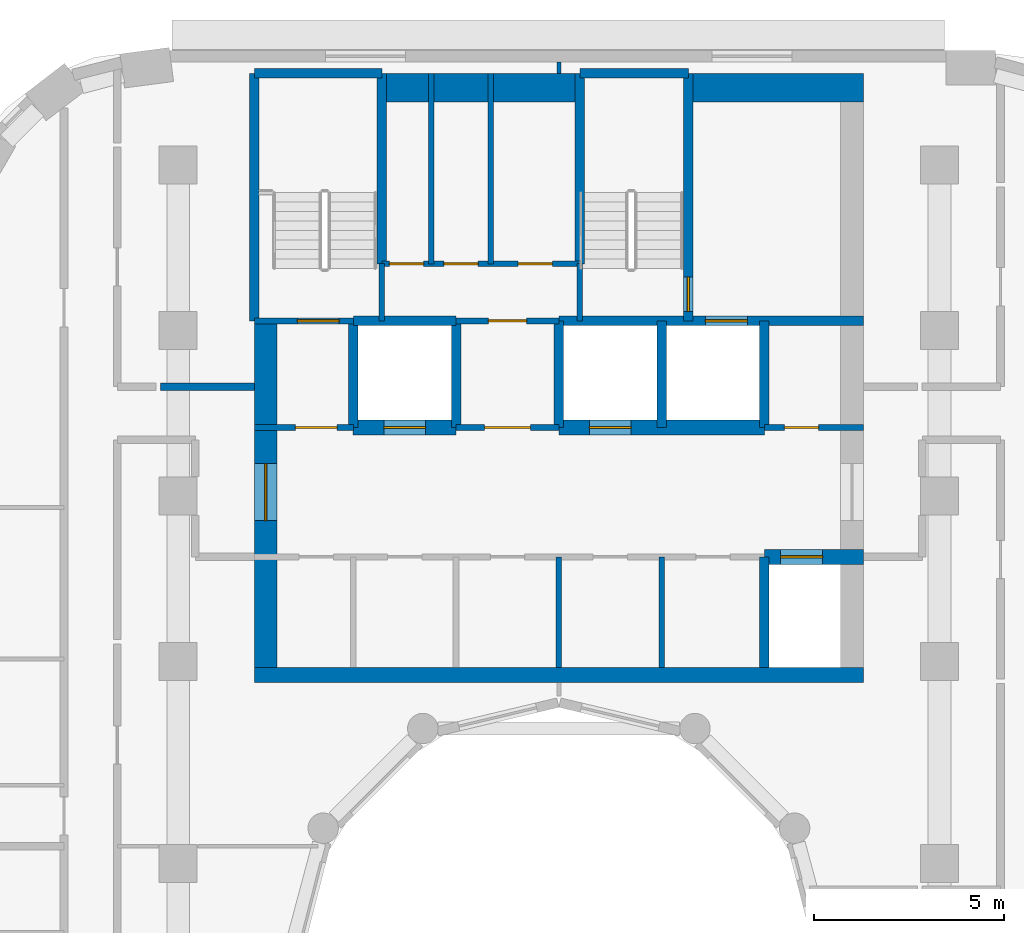
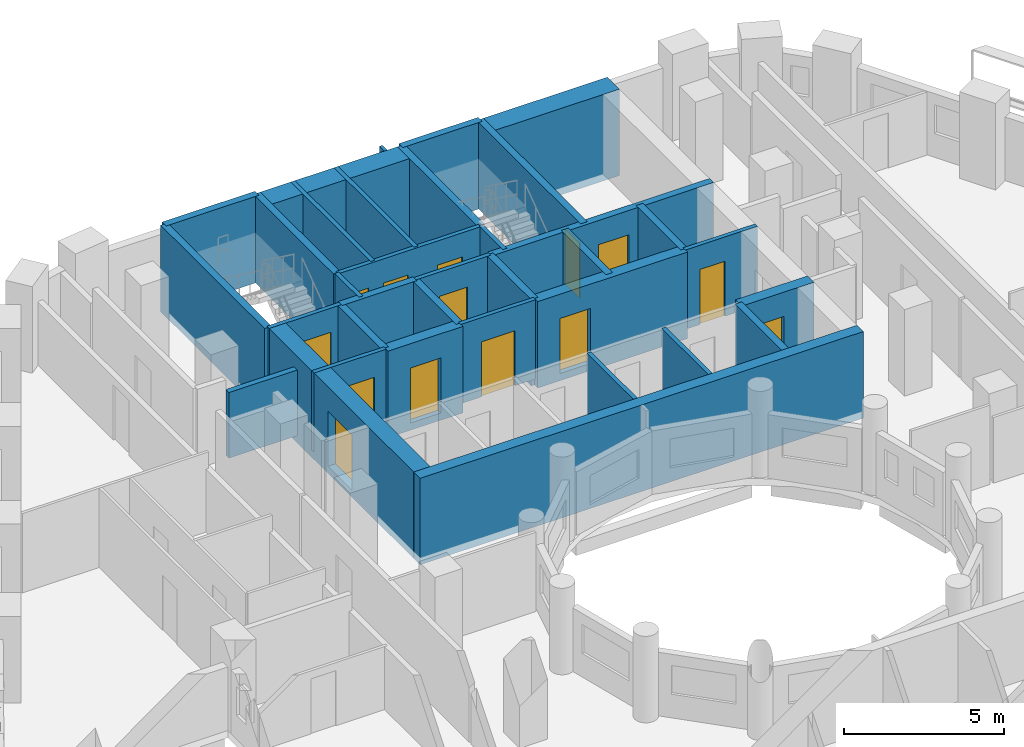
# One storey, part 8 of 14: 35 walls, 14 doors, 14 openings.
"""IFC4 building model written with IfcOpenShell, lengths in metres."""

from ifc_helpers import new_model, si_unit, direction, frame, frame_2d, origin, place, context, subcontext, project, spatial, rectangle, extrude, material, layer, layer_set, type_object, element, fill, save


model = new_model("IFC4")

# Units and contexts
model_context = context("Model", 3, precision=1e-05, world=origin(), true_north=direction((0.0, 1.0)))
body_context = subcontext(model_context, "Body", "Model", "MODEL_VIEW")
ifc_project = project(units=[si_unit("LENGTHUNIT", "METRE"), si_unit("AREAUNIT", "SQUARE_METRE"), si_unit("VOLUMEUNIT", "CUBIC_METRE"), si_unit("PLANEANGLEUNIT", "RADIAN"), si_unit("MASSUNIT", "GRAM", prefix="KILO")], contexts=[model_context])

# Site, building, storey
site_placement = place(None, origin())
site = spatial("IfcSite", under=ifc_project, at=site_placement, CompositionType="ELEMENT")
building_placement = place(site_placement, origin())
building = spatial("IfcBuilding", under=site, at=building_placement, Name="Nakaniwa Court", CompositionType="ELEMENT")
storey_placement = place(building_placement, frame((0.0, 0.0, 163.5)))
storey = spatial("IfcBuildingStorey", under=building, at=storey_placement, Name="L43", CompositionType="ELEMENT", Elevation=163.5)

# Walls
ifc_material_1 = material(Name="Acoustic double stud partition")
ifc_layer_1 = layer(ifc_material_1, 0.199951171875)
ifc_layer_set_1 = layer_set([ifc_layer_1], Name="Acoustic double stud partition")
wall_type_1 = type_object("IfcWallType", Name="Acoustic double stud partition 200", PredefinedType="PARTITIONING", material=ifc_layer_set_1)
wall_1_placement = place(storey_placement, frame((69.537109375, 95.175048828125, 0.0), z_axis=(0.0, 0.0, 1.0), x_axis=(1.0, 0.0, 0.0)))
element("IfcWall", 1, at=wall_1_placement, inside=storey, type_object=wall_type_1, Name="Partition PW-099", PredefinedType="PARTITIONING", context=body_context, shape_type="SweptSolid", body=[
    extrude(rectangle(XDim=2.462890625, YDim=0.199951171875, at=frame_2d((1.2314453125, 0.0))), origin(), (0.0, 0.0, 1.0), 2.5048828125),
])
ifc_material_2 = material(Name="Blockwork partition", Category="masonry")
ifc_layer_2 = layer(ifc_material_2, 0.14990234375)
ifc_layer_set_2 = layer_set([ifc_layer_2], Name="Blockwork partition")
wall_type_2 = type_object("IfcWallType", Name="Blockwork partition 150", PredefinedType="PARTITIONING", material=ifc_layer_set_2)
for number, where, z_axis, x_axis, name in (
    (2, (80.0, 87.800048828125, 0.0), (0.0, 0.0, 1.0), (0.0, 1.0, 0.0), "Partition PW-009"),
    (3, (82.699951171875, 87.800048828125, 0.0), (0.0, 0.0, 1.0), (0.0, 1.0, 0.0), "Partition PW-010"),
):
    element("IfcWall", number, at=place(storey_placement, frame(where, z_axis=z_axis, x_axis=x_axis)), inside=storey, type_object=wall_type_2, Name=name, PredefinedType="PARTITIONING", context=body_context, shape_type="SweptSolid", body=[
        extrude(rectangle(XDim=2.89990234375, YDim=0.14990234375, at=frame_2d((1.449951171875, 0.0))), origin(), (0.0, 0.0, 1.0), 3.02490234375),
    ])

# Wall, opening, door
wall_2_placement = place(storey_placement, frame((72.0, 94.10009765625, 0.0), z_axis=(0.0, 0.0, 1.0), x_axis=(1.0, 0.0, 0.0)))
wall_2 = element("IfcWall", 4, at=wall_2_placement, inside=storey, type_object=wall_type_2, Name="Partition PW-011", PredefinedType="PARTITIONING", context=body_context, shape_type="SweptSolid", body=[
    extrude(rectangle(XDim=2.60302734375, YDim=0.14990234375, at=frame_2d((1.301513671875, 0.0))), origin(), (0.0, 0.0, 1.0), 3.02490234375),
])
opening_1_placement = place(wall_2_placement, frame((1.074951171875, 0.0, 0.0)))
opening_1 = element("IfcOpeningElement", 5, at=opening_1_placement, cuts=wall_2, Name="Opening D-08-01", PredefinedType="OPENING", context=body_context, shape_type="SweptSolid", body=[
    extrude(rectangle(XDim=1.10009765625, YDim=2.10009765625, at=frame_2d((0.550048828125, 1.050048828125))), frame((0.0, 0.0849609375, 0.0), z_axis=(0.0, -1.0, 0.0), x_axis=(1.0, 0.0, 0.0)), (0.0, 0.0, 1.0), 0.169921875),
])
ifc_material_3 = material(Name="Fire rated steel door set", Category="steel")
door_type_1 = type_object("IfcDoorType", Name="Stair lobby door 1100", OperationType="NOTDEFINED", PredefinedType="DOOR", material=ifc_material_3)
door_1_placement = place(opening_1_placement, origin())
door_1 = element("IfcDoor", 6, at=door_1_placement, inside=storey, type_object=door_type_1, Name="Door D-08-01 L43-006", OperationType="SINGLE_SWING_LEFT", OverallHeight=2.10009765625, OverallWidth=1.10009765625, PredefinedType="DOOR", context=body_context, shape_type="SweptSolid", body=[
    extrude(rectangle(XDim=1.10009765625, YDim=2.10009765625, at=frame_2d((0.550048828125, 1.050048828125))), frame((0.0, 0.02490234375, 0.0), z_axis=(0.0, -1.0, 0.0), x_axis=(1.0, 0.0, 0.0)), (0.0, 0.0, 1.0), 0.050048828125),
])
fill(opening_1, door_1)

wall_3_placement = place(storey_placement, frame((77.297119140625, 94.10009765625, 0.0), z_axis=(0.0, 0.0, 1.0), x_axis=(1.0, 0.0, 0.0)))
wall_3 = element("IfcWall", 7, at=wall_3_placement, inside=storey, type_object=wall_type_2, Name="Partition PW-012", PredefinedType="PARTITIONING", context=body_context, shape_type="SweptSolid", body=[
    extrude(rectangle(XDim=2.705810546875, YDim=0.14990234375, at=frame_2d((1.35302734375, 0.0))), origin(), (0.0, 0.0, 1.0), 3.02490234375),
])
opening_2_placement = place(wall_3_placement, frame((0.7529296875, 0.0, 0.0)))
opening_2 = element("IfcOpeningElement", 8, at=opening_2_placement, cuts=wall_3, Name="Opening D-06-01", PredefinedType="OPENING", context=body_context, shape_type="SweptSolid", body=[
    extrude(rectangle(XDim=1.199951171875, YDim=2.10009765625, at=frame_2d((0.60009765625, 1.050048828125))), frame((0.0, 0.0849609375, 0.0), z_axis=(0.0, -1.0, 0.0), x_axis=(1.0, 0.0, 0.0)), (0.0, 0.0, 1.0), 0.169921875),
])
ifc_material_4 = material(Name="Fire rated steel double door set", Category="steel")
door_type_2 = type_object("IfcDoorType", Name="Service passage double door 1200", OperationType="NOTDEFINED", PredefinedType="DOOR", material=ifc_material_4)
door_2_placement = place(opening_2_placement, origin())
door_2 = element("IfcDoor", 9, at=door_2_placement, inside=storey, type_object=door_type_2, Name="Door D-06-01 L43-007", OperationType="DOUBLE_DOOR_SINGLE_SWING", OverallHeight=2.10009765625, OverallWidth=1.199951171875, PredefinedType="DOOR", context=body_context, shape_type="SweptSolid", body=[
    extrude(rectangle(XDim=1.199951171875, YDim=2.10009765625, at=frame_2d((0.60009765625, 1.050048828125))), frame((0.0, 0.02490234375, 0.0), z_axis=(0.0, -1.0, 0.0), x_axis=(1.0, 0.0, 0.0)), (0.0, 0.0, 1.0), 0.050048828125),
])
fill(opening_2, door_2)

wall_4_placement = place(storey_placement, frame((85.39697265625, 94.10009765625, 0.0), z_axis=(0.0, 0.0, 1.0), x_axis=(1.0, 0.0, 0.0)))
wall_4 = element("IfcWall", 10, at=wall_4_placement, inside=storey, type_object=wall_type_2, Name="Partition PW-013", PredefinedType="PARTITIONING", context=body_context, shape_type="SweptSolid", body=[
    extrude(rectangle(XDim=2.60302734375, YDim=0.14990234375, at=frame_2d((1.301513671875, 0.0))), origin(), (0.0, 0.0, 1.0), 3.02490234375),
])
opening_3_placement = place(wall_4_placement, frame((0.528076171875, 0.0, 0.0)))
opening_3 = element("IfcOpeningElement", 11, at=opening_3_placement, cuts=wall_4, Name="Opening D-05-06", PredefinedType="OPENING", context=body_context, shape_type="SweptSolid", body=[
    extrude(rectangle(XDim=0.89990234375, YDim=2.10009765625, at=frame_2d((0.449951171875, 1.050048828125))), frame((0.0, 0.0849609375, 0.0), z_axis=(0.0, -1.0, 0.0), x_axis=(1.0, 0.0, 0.0)), (0.0, 0.0, 1.0), 0.169921875),
])
door_type_3 = type_object("IfcDoorType", Name="Service room door 900", OperationType="NOTDEFINED", PredefinedType="DOOR", material=ifc_material_3)
door_3_placement = place(opening_3_placement, origin())
door_3 = element("IfcDoor", 12, at=door_3_placement, inside=storey, type_object=door_type_3, Name="Door D-05-06 L43-008", OperationType="SINGLE_SWING_LEFT", OverallHeight=2.10009765625, OverallWidth=0.89990234375, PredefinedType="DOOR", context=body_context, shape_type="SweptSolid", body=[
    extrude(rectangle(XDim=0.89990234375, YDim=2.10009765625, at=frame_2d((0.449951171875, 1.050048828125))), frame((0.0, 0.02490234375, 0.0), z_axis=(0.0, -1.0, 0.0), x_axis=(1.0, 0.0, 0.0)), (0.0, 0.0, 1.0), 0.050048828125),
])
fill(opening_3, door_3)

wall_5_placement = place(storey_placement, frame((77.300048828125, 96.89990234375, 0.0), z_axis=(0.0, 0.0, 1.0), x_axis=(1.0, 0.0, 0.0)))
wall_5 = element("IfcWall", 13, at=wall_5_placement, inside=storey, type_object=wall_type_2, Name="Partition PW-022", PredefinedType="PARTITIONING", context=body_context, shape_type="SweptSolid", body=[
    extrude(rectangle(XDim=2.699951171875, YDim=0.14990234375, at=frame_2d((1.35009765625, 0.0))), origin(), (0.0, 0.0, 1.0), 3.02490234375),
])
opening_4_placement = place(wall_5_placement, frame((0.85009765625, 0.0, 0.0)))
opening_4 = element("IfcOpeningElement", 14, at=opening_4_placement, cuts=wall_5, Name="Opening D-23-01", PredefinedType="OPENING", context=body_context, shape_type="SweptSolid", body=[
    extrude(rectangle(XDim=1.0, YDim=2.10009765625, at=frame_2d((0.5, 1.050048828125))), frame((0.0, 0.0849609375, 0.0), z_axis=(0.0, -1.0, 0.0), x_axis=(1.0, 0.0, 0.0)), (0.0, 0.0, 1.0), 0.169921875),
])
door_type_4 = type_object("IfcDoorType", Name="Service room door 1000", OperationType="NOTDEFINED", PredefinedType="DOOR", material=ifc_material_3)
door_4_placement = place(opening_4_placement, origin())
door_4 = element("IfcDoor", 15, at=door_4_placement, inside=storey, type_object=door_type_4, Name="Door D-23-01 L43-009", OperationType="SINGLE_SWING_RIGHT", OverallHeight=2.10009765625, OverallWidth=1.0, PredefinedType="DOOR", context=body_context, shape_type="SweptSolid", body=[
    extrude(rectangle(XDim=1.0, YDim=2.10009765625, at=frame_2d((0.5, 1.050048828125))), frame((0.0, 0.02490234375, 0.0), z_axis=(0.0, -1.0, 0.0), x_axis=(1.0, 0.0, 0.0)), (0.0, 0.0, 1.0), 0.050048828125),
])
fill(opening_4, door_4)

# Wall, openings, doors
wall_6_placement = place(storey_placement, frame((75.35009765625, 98.39990234375, 0.0), z_axis=(0.0, 0.0, 1.0), x_axis=(1.0, 0.0, 0.0)))
wall_6 = element("IfcWall", 16, at=wall_6_placement, inside=storey, type_object=wall_type_2, Name="Partition PW-034", PredefinedType="PARTITIONING", context=body_context, shape_type="SweptSolid", body=[
    extrude(rectangle(XDim=5.199951171875, YDim=0.14990234375, at=frame_2d((2.60009765625, 0.0))), origin(), (0.0, 0.0, 1.0), 3.02490234375),
])
opening_5_placement = place(wall_6_placement, frame((0.199951171875, 0.0, 0.0)))
opening_5 = element("IfcOpeningElement", 17, at=opening_5_placement, cuts=wall_6, Name="Opening D-05-07", PredefinedType="OPENING", context=body_context, shape_type="SweptSolid", body=[
    extrude(rectangle(XDim=0.89990234375, YDim=2.10009765625, at=frame_2d((0.449951171875, 1.050048828125))), frame((0.0, 0.0849609375, 0.0), z_axis=(0.0, -1.0, 0.0), x_axis=(1.0, 0.0, 0.0)), (0.0, 0.0, 1.0), 0.169921875),
])
opening_6_placement = place(wall_6_placement, frame((1.6298828125, 0.0, 0.0)))
opening_6 = element("IfcOpeningElement", 18, at=opening_6_placement, cuts=wall_6, Name="Opening D-05-08", PredefinedType="OPENING", context=body_context, shape_type="SweptSolid", body=[
    extrude(rectangle(XDim=0.89990234375, YDim=2.10009765625, at=frame_2d((0.449951171875, 1.050048828125))), frame((0.0, 0.0849609375, 0.0), z_axis=(0.0, -1.0, 0.0), x_axis=(1.0, 0.0, 0.0)), (0.0, 0.0, 1.0), 0.169921875),
])
opening_7_placement = place(wall_6_placement, frame((3.580078125, 0.0, 0.0)))
opening_7 = element("IfcOpeningElement", 19, at=opening_7_placement, cuts=wall_6, Name="Opening D-05-09", PredefinedType="OPENING", context=body_context, shape_type="SweptSolid", body=[
    extrude(rectangle(XDim=0.89990234375, YDim=2.10009765625, at=frame_2d((0.449951171875, 1.050048828125))), frame((0.0, 0.0849609375, 0.0), z_axis=(0.0, -1.0, 0.0), x_axis=(1.0, 0.0, 0.0)), (0.0, 0.0, 1.0), 0.169921875),
])
door_5_placement = place(opening_5_placement, origin())
door_5 = element("IfcDoor", 20, at=door_5_placement, inside=storey, type_object=door_type_3, Name="Door D-05-07 L43-010", OperationType="SINGLE_SWING_LEFT", OverallHeight=2.10009765625, OverallWidth=0.89990234375, PredefinedType="DOOR", context=body_context, shape_type="SweptSolid", body=[
    extrude(rectangle(XDim=0.89990234375, YDim=2.10009765625, at=frame_2d((0.449951171875, 1.050048828125))), frame((0.0, 0.02490234375, 0.0), z_axis=(0.0, -1.0, 0.0), x_axis=(1.0, 0.0, 0.0)), (0.0, 0.0, 1.0), 0.050048828125),
])
fill(opening_5, door_5)
door_6_placement = place(opening_6_placement, origin())
door_6 = element("IfcDoor", 21, at=door_6_placement, inside=storey, type_object=door_type_3, Name="Door D-05-08 L43-011", OperationType="SINGLE_SWING_RIGHT", OverallHeight=2.10009765625, OverallWidth=0.89990234375, PredefinedType="DOOR", context=body_context, shape_type="SweptSolid", body=[
    extrude(rectangle(XDim=0.89990234375, YDim=2.10009765625, at=frame_2d((0.449951171875, 1.050048828125))), frame((0.0, 0.02490234375, 0.0), z_axis=(0.0, -1.0, 0.0), x_axis=(1.0, 0.0, 0.0)), (0.0, 0.0, 1.0), 0.050048828125),
])
fill(opening_6, door_6)
door_7_placement = place(opening_7_placement, origin())
door_7 = element("IfcDoor", 22, at=door_7_placement, inside=storey, type_object=door_type_3, Name="Door D-05-09 L43-012", OperationType="SINGLE_SWING_LEFT", OverallHeight=2.10009765625, OverallWidth=0.89990234375, PredefinedType="DOOR", context=body_context, shape_type="SweptSolid", body=[
    extrude(rectangle(XDim=0.89990234375, YDim=2.10009765625, at=frame_2d((0.449951171875, 1.050048828125))), frame((0.0, 0.02490234375, 0.0), z_axis=(0.0, -1.0, 0.0), x_axis=(1.0, 0.0, 0.0)), (0.0, 0.0, 1.0), 0.050048828125),
])
fill(opening_7, door_7)

# Walls
for number, where, z_axis, x_axis, name in (
    (23, (76.64990234375, 98.39990234375, 0.0), (0.0, 0.0, 1.0), (0.0, 1.0, 0.0), "Partition PW-035"),
    (24, (78.2099609375, 98.39990234375, 0.0), (0.0, 0.0, 1.0), (0.0, 1.0, 0.0), "Partition PW-036"),
):
    element("IfcWall", number, at=place(storey_placement, frame(where, z_axis=z_axis, x_axis=x_axis)), inside=storey, type_object=wall_type_2, Name=name, PredefinedType="PARTITIONING", context=body_context, shape_type="SweptSolid", body=[
        extrude(rectangle(XDim=5.0, YDim=0.14990234375, at=frame_2d((2.5, 0.0))), origin(), (0.0, 0.0, 1.0), 3.02490234375),
    ])

# Wall, opening, door
ifc_material_5 = material(Name="Concrete C80/100", Category="concrete")
ifc_layer_3 = layer(ifc_material_5, 0.60009765625)
ifc_layer_set_3 = layer_set([ifc_layer_3], Name="Concrete C80/100")
wall_type_3 = type_object("IfcWallType", Name="Concrete core side wall 600 C80", PredefinedType="SHEAR", material=ifc_layer_set_3)
wall_7_placement = place(storey_placement, frame((72.300048828125, 87.800048828125, -0.27490234375), z_axis=(0.0, 0.0, 1.0), x_axis=(0.0, 1.0, 0.0)))
wall_7 = element("IfcWall", 25, at=wall_7_placement, inside=storey, type_object=wall_type_3, Name="Core wall SW-03", PredefinedType="SHEAR", context=body_context, shape_type="SweptSolid", body=[
    extrude(rectangle(XDim=9.099853515625, YDim=0.60009765625, at=frame_2d((4.5498046875, 0.0))), origin(), (0.0, 0.0, 1.0), 3.2998046875),
])
opening_8_placement = place(wall_7_placement, frame((3.85205078125, 0.0, 0.27490234375)))
opening_8 = element("IfcOpeningElement", 26, at=opening_8_placement, cuts=wall_7, Name="Opening D-07-02", PredefinedType="OPENING", context=body_context, shape_type="SweptSolid", body=[
    extrude(rectangle(XDim=1.5, YDim=2.10009765625, at=frame_2d((0.75, 1.050048828125))), frame((0.0, 0.31005859375, 0.0), z_axis=(0.0, -1.0, 0.0), x_axis=(1.0, 0.0, 0.0)), (0.0, 0.0, 1.0), 0.6201171875),
])
ifc_material_6 = material(Name="Glazed fire rated steel double door set", Category="steel")
door_type_5 = type_object("IfcDoorType", Name="Lobby double door 1500", OperationType="NOTDEFINED", PredefinedType="DOOR", material=ifc_material_6)
door_8_placement = place(opening_8_placement, origin())
door_8 = element("IfcDoor", 27, at=door_8_placement, inside=storey, type_object=door_type_5, Name="Door D-07-02 L43-059", OperationType="DOUBLE_DOOR_SINGLE_SWING", OverallHeight=2.10009765625, OverallWidth=1.5, PredefinedType="DOOR", context=body_context, shape_type="SweptSolid", body=[
    extrude(rectangle(XDim=1.5, YDim=2.10009765625, at=frame_2d((0.75, 1.050048828125))), frame((0.0, 0.02490234375, 0.0), z_axis=(0.0, -1.0, 0.0), x_axis=(1.0, 0.0, 0.0)), (0.0, 0.0, 1.0), 0.050048828125),
])
fill(opening_8, door_8)

ifc_layer_4 = layer(ifc_material_5, 0.39990234375)
ifc_layer_set_4 = layer_set([ifc_layer_4], Name="Concrete C80/100")
wall_type_4 = type_object("IfcWallType", Name="Concrete core spine wall 400 C80", PredefinedType="SHEAR", material=ifc_layer_set_4)
wall_8_placement = place(storey_placement, frame((85.39990234375, 90.699951171875, -0.27490234375), z_axis=(0.0, 0.0, 1.0), x_axis=(1.0, 0.0, 0.0)))
wall_8 = element("IfcWall", 28, at=wall_8_placement, inside=storey, type_object=wall_type_4, Name="Core wall SW-06", PredefinedType="SHEAR", context=body_context, shape_type="SweptSolid", body=[
    extrude(rectangle(XDim=2.60009765625, YDim=0.39990234375, at=frame_2d((1.300048828125, 0.0))), origin(), (0.0, 0.0, 1.0), 3.2998046875),
])
opening_9_placement = place(wall_8_placement, frame((0.425048828125, 0.0, 0.27490234375)))
opening_9 = element("IfcOpeningElement", 29, at=opening_9_placement, cuts=wall_8, Name="Opening LD01", PredefinedType="OPENING", context=body_context, shape_type="SweptSolid", body=[
    extrude(rectangle(XDim=1.10009765625, YDim=2.10009765625, at=frame_2d((0.550048828125, 1.050048828125))), frame((0.0, 0.2099609375, 0.0), z_axis=(0.0, -1.0, 0.0), x_axis=(1.0, 0.0, 0.0)), (0.0, 0.0, 1.0), 0.419921875),
])
ifc_material_7 = material(Name="Stainless steel sliding lift landing door", Category="steel")
door_type_6 = type_object("IfcDoorType", Name="Lift landing door 1100", OperationType="NOTDEFINED", PredefinedType="DOOR", material=ifc_material_7)
door_9_placement = place(opening_9_placement, origin())
door_9 = element("IfcDoor", 30, at=door_9_placement, inside=storey, type_object=door_type_6, Name="Lift landing door LD01 L43-001", OperationType="SLIDING_TO_LEFT", OverallHeight=2.10009765625, OverallWidth=1.10009765625, PredefinedType="DOOR", context=body_context, shape_type="SweptSolid", body=[
    extrude(rectangle(XDim=1.10009765625, YDim=2.10009765625, at=frame_2d((0.550048828125, 1.050048828125))), frame((0.0, 0.02490234375, 0.0), z_axis=(0.0, -1.0, 0.0), x_axis=(1.0, 0.0, 0.0)), (0.0, 0.0, 1.0), 0.050048828125),
])
fill(opening_9, door_9)

wall_9_placement = place(storey_placement, frame((74.596923828125, 94.10009765625, -0.27490234375), z_axis=(0.0, 0.0, 1.0), x_axis=(1.0, 0.0, 0.0)))
wall_9 = element("IfcWall", 31, at=wall_9_placement, inside=storey, type_object=wall_type_4, Name="Core wall SW-14", PredefinedType="SHEAR", context=body_context, shape_type="SweptSolid", body=[
    extrude(rectangle(XDim=2.7060546875, YDim=0.39990234375, at=frame_2d((1.35302734375, 0.0))), origin(), (0.0, 0.0, 1.0), 3.2998046875),
])
opening_10_placement = place(wall_9_placement, frame((0.802978515625, 0.0, 0.27490234375)))
opening_10 = element("IfcOpeningElement", 32, at=opening_10_placement, cuts=wall_9, Name="Opening LD02", PredefinedType="OPENING", context=body_context, shape_type="SweptSolid", body=[
    extrude(rectangle(XDim=1.10009765625, YDim=2.10009765625, at=frame_2d((0.550048828125, 1.050048828125))), frame((0.0, 0.2099609375, 0.0), z_axis=(0.0, -1.0, 0.0), x_axis=(1.0, 0.0, 0.0)), (0.0, 0.0, 1.0), 0.419921875),
])
door_10_placement = place(opening_10_placement, origin())
door_10 = element("IfcDoor", 33, at=door_10_placement, inside=storey, type_object=door_type_6, Name="Lift landing door LD02 L43-002", OperationType="SLIDING_TO_LEFT", OverallHeight=2.10009765625, OverallWidth=1.10009765625, PredefinedType="DOOR", context=body_context, shape_type="SweptSolid", body=[
    extrude(rectangle(XDim=1.10009765625, YDim=2.10009765625, at=frame_2d((0.550048828125, 1.050048828125))), frame((0.0, 0.02490234375, 0.0), z_axis=(0.0, -1.0, 0.0), x_axis=(1.0, 0.0, 0.0)), (0.0, 0.0, 1.0), 0.050048828125),
])
fill(opening_10, door_10)

wall_10_placement = place(storey_placement, frame((79.9970703125, 94.10009765625, -0.27490234375), z_axis=(0.0, 0.0, 1.0), x_axis=(1.0, 0.0, 0.0)))
wall_10 = element("IfcWall", 34, at=wall_10_placement, inside=storey, type_object=wall_type_4, Name="Core wall SW-15", PredefinedType="SHEAR", context=body_context, shape_type="SweptSolid", body=[
    extrude(rectangle(XDim=5.406005859375, YDim=0.39990234375, at=frame_2d((2.703125, 0.0))), origin(), (0.0, 0.0, 1.0), 3.2998046875),
])
opening_11_placement = place(wall_10_placement, frame((0.802978515625, 0.0, 0.27490234375)))
opening_11 = element("IfcOpeningElement", 35, at=opening_11_placement, cuts=wall_10, Name="Opening LD03", PredefinedType="OPENING", context=body_context, shape_type="SweptSolid", body=[
    extrude(rectangle(XDim=1.10009765625, YDim=2.10009765625, at=frame_2d((0.550048828125, 1.050048828125))), frame((0.0, 0.2099609375, 0.0), z_axis=(0.0, -1.0, 0.0), x_axis=(1.0, 0.0, 0.0)), (0.0, 0.0, 1.0), 0.419921875),
])
door_11_placement = place(opening_11_placement, origin())
door_11 = element("IfcDoor", 36, at=door_11_placement, inside=storey, type_object=door_type_6, Name="Lift landing door LD03 L43-003", OperationType="SLIDING_TO_LEFT", OverallHeight=2.10009765625, OverallWidth=1.10009765625, PredefinedType="DOOR", context=body_context, shape_type="SweptSolid", body=[
    extrude(rectangle(XDim=1.10009765625, YDim=2.10009765625, at=frame_2d((0.550048828125, 1.050048828125))), frame((0.0, 0.02490234375, 0.0), z_axis=(0.0, -1.0, 0.0), x_axis=(1.0, 0.0, 0.0)), (0.0, 0.0, 1.0), 0.050048828125),
])
fill(opening_11, door_11)

ifc_layer_5 = layer(ifc_material_5, 0.14990234375)
ifc_layer_set_5 = layer_set([ifc_layer_5], Name="Concrete C80/100")
wall_type_5 = type_object("IfcWallType", Name="Concrete core wall 150 C80", PredefinedType="SHEAR", material=ifc_layer_set_5)
wall_11_placement = place(storey_placement, frame((74.60009765625, 96.89990234375, -0.27490234375), z_axis=(0.0, 0.0, 1.0), x_axis=(-1.0, 0.0, 0.0)))
wall_11 = element("IfcWall", 37, at=wall_11_placement, inside=storey, type_object=wall_type_5, Name="Core wall SW-17", PredefinedType="SHEAR", context=body_context, shape_type="SweptSolid", body=[
    extrude(rectangle(XDim=2.60009765625, YDim=0.14990234375, at=frame_2d((1.300048828125, 0.0))), origin(), (0.0, 0.0, 1.0), 3.2998046875),
])
opening_12_placement = place(wall_11_placement, frame((0.3701171875, 0.0, 0.27490234375)))
opening_12 = element("IfcOpeningElement", 38, at=opening_12_placement, cuts=wall_11, Name="Opening D-09-01", PredefinedType="OPENING", context=body_context, shape_type="SweptSolid", body=[
    extrude(rectangle(XDim=1.10009765625, YDim=2.10009765625, at=frame_2d((0.550048828125, 1.050048828125))), frame((0.0, 0.0849609375, 0.0), z_axis=(0.0, -1.0, 0.0), x_axis=(1.0, 0.0, 0.0)), (0.0, 0.0, 1.0), 0.169921875),
])
door_type_7 = type_object("IfcDoorType", Name="Stair door 1100", OperationType="NOTDEFINED", PredefinedType="DOOR", material=ifc_material_3)
door_12_placement = place(opening_12_placement, origin())
door_12 = element("IfcDoor", 39, at=door_12_placement, inside=storey, type_object=door_type_7, Name="Door D-09-01 L43-013", OperationType="SINGLE_SWING_LEFT", OverallHeight=2.10009765625, OverallWidth=1.10009765625, PredefinedType="DOOR", context=body_context, shape_type="SweptSolid", body=[
    extrude(rectangle(XDim=1.10009765625, YDim=2.10009765625, at=frame_2d((0.550048828125, 1.050048828125))), frame((0.0, 0.02490234375, 0.0), z_axis=(0.0, -1.0, 0.0), x_axis=(1.0, 0.0, 0.0)), (0.0, 0.0, 1.0), 0.050048828125),
])
fill(opening_12, door_12)

# Walls
for number, where, z_axis, x_axis, name in (
    (40, (75.35009765625, 96.89990234375, -0.27490234375), (0.0, 0.0, 1.0), (0.0, 1.0, 0.0), "Core wall SW-24"),
    (41, (80.550048828125, 96.89990234375, -0.27490234375), (0.0, 0.0, 1.0), (0.0, 1.0, 0.0), "Core wall SW-30"),
):
    element("IfcWall", number, at=place(storey_placement, frame(where, z_axis=z_axis, x_axis=x_axis)), inside=storey, type_object=wall_type_5, Name=name, PredefinedType="SHEAR", context=body_context, shape_type="SweptSolid", body=[
        extrude(rectangle(XDim=1.503173828125, YDim=0.14990234375, at=frame_2d((0.75146484375, 0.0))), origin(), (0.0, 0.0, 1.0), 3.2998046875),
    ])
ifc_layer_6 = layer(ifc_material_5, 0.25)
ifc_layer_set_6 = layer_set([ifc_layer_6], Name="Concrete C80/100")
wall_type_6 = type_object("IfcWallType", Name="Concrete core wall 250 C80", PredefinedType="SHEAR", material=ifc_layer_set_6)
wall_12_placement = place(storey_placement, frame((72.0, 103.39990234375, -0.27490234375), z_axis=(0.0, 0.0, 1.0), x_axis=(1.0, 0.0, 0.0)))
element("IfcWall", 42, at=wall_12_placement, inside=storey, type_object=wall_type_6, Name="Core wall SW-26", PredefinedType="SHEAR", context=body_context, shape_type="SweptSolid", body=[
    extrude(rectangle(XDim=3.35009765625, YDim=0.25, at=frame_2d((1.675048828125, 0.0))), origin(), (0.0, 0.0, 1.0), 3.2998046875),
])
wall_13_placement = place(storey_placement, frame((80.550048828125, 103.39990234375, -0.27490234375), z_axis=(0.0, 0.0, 1.0), x_axis=(1.0, 0.0, 0.0)))
element("IfcWall", 43, at=wall_13_placement, inside=storey, type_object=wall_type_6, Name="Core wall SW-27", PredefinedType="SHEAR", context=body_context, shape_type="SweptSolid", body=[
    extrude(rectangle(XDim=2.849853515625, YDim=0.25, at=frame_2d((1.4248046875, 0.0))), origin(), (0.0, 0.0, 1.0), 3.2998046875),
])
wall_14_placement = place(storey_placement, frame((72.0, 96.89990234375, -0.27490234375), z_axis=(0.0, 0.0, 1.0), x_axis=(0.0, 1.0, 0.0)))
element("IfcWall", 44, at=wall_14_placement, inside=storey, type_object=wall_type_6, Name="Core wall SW-28", PredefinedType="SHEAR", context=body_context, shape_type="SweptSolid", body=[
    extrude(rectangle(XDim=6.5, YDim=0.25, at=frame_2d((3.25, 0.0))), origin(), (0.0, 0.0, 1.0), 3.2998046875),
])
ifc_layer_7 = layer(ifc_material_5, 0.75)
ifc_layer_set_7 = layer_set([ifc_layer_7], Name="Concrete C80/100")
wall_type_7 = type_object("IfcWallType", Name="Concrete core wall 750 C80", PredefinedType="SHEAR", material=ifc_layer_set_7)
wall_15_placement = place(storey_placement, frame((75.35009765625, 103.02490234375, -0.27490234375), z_axis=(0.0, 0.0, 1.0), x_axis=(1.0, 0.0, 0.0)))
element("IfcWall", 45, at=wall_15_placement, inside=storey, type_object=wall_type_7, Name="Core wall SW-32", PredefinedType="SHEAR", context=body_context, shape_type="SweptSolid", body=[
    extrude(rectangle(XDim=5.199951171875, YDim=0.75, at=frame_2d((2.60009765625, 0.0))), origin(), (0.0, 0.0, 1.0), 3.2998046875),
])
wall_16_placement = place(storey_placement, frame((83.39990234375, 103.02490234375, -0.27490234375), z_axis=(0.0, 0.0, 1.0), x_axis=(1.0, 0.0, 0.0)))
element("IfcWall", 46, at=wall_16_placement, inside=storey, type_object=wall_type_7, Name="Core wall SW-33", PredefinedType="SHEAR", context=body_context, shape_type="SweptSolid", body=[
    extrude(rectangle(XDim=4.60009765625, YDim=0.75, at=frame_2d((2.300048828125, 0.0))), origin(), (0.0, 0.0, 1.0), 3.2998046875),
])
ifc_layer_8 = layer(ifc_material_5, 0.39990234375)
ifc_layer_set_8 = layer_set([ifc_layer_8], Name="Concrete C80/100")
wall_type_8 = type_object("IfcWallType", Name="Concrete core well wall 400 C80", PredefinedType="SHEAR", material=ifc_layer_set_8)
wall_17_placement = place(storey_placement, frame((72.00390625, 87.60009765625, -0.27490234375), z_axis=(0.0, 0.0, 1.0), x_axis=(1.0, 0.0, 0.0)))
element("IfcWall", 47, at=wall_17_placement, inside=storey, type_object=wall_type_8, Name="Core wall SW-143", PredefinedType="SHEAR", context=body_context, shape_type="SweptSolid", body=[
    extrude(rectangle(XDim=15.9921875, YDim=0.39990234375, at=frame_2d((7.99609375, 0.0))), origin(), (0.0, 0.0, 1.0), 3.2998046875),
])
ifc_layer_9 = layer(ifc_material_5, 0.25)
ifc_layer_set_9 = layer_set([ifc_layer_9], Name="Concrete C80/100")
wall_type_9 = type_object("IfcWallType", Name="Concrete shaft wall 250 C80", PredefinedType="SHEAR", material=ifc_layer_set_9)
wall_18_placement = place(storey_placement, frame((85.39990234375, 87.800048828125, -0.27490234375), z_axis=(0.0, 0.0, 1.0), x_axis=(0.0, 1.0, 0.0)))
element("IfcWall", 48, at=wall_18_placement, inside=storey, type_object=wall_type_9, Name="Core wall SW-04", PredefinedType="SHEAR", context=body_context, shape_type="SweptSolid", body=[
    extrude(rectangle(XDim=2.89990234375, YDim=0.25, at=frame_2d((1.449951171875, 0.0))), origin(), (0.0, 0.0, 1.0), 3.2998046875),
])
for number, where, z_axis, x_axis, name in (
    (49, (85.39990234375, 94.10009765625, -0.27490234375), (0.0, 0.0, 1.0), (0.0, 1.0, 0.0), "Core wall SW-05"),
    (50, (74.60009765625, 94.10009765625, -0.27490234375), (0.0, 0.0, 1.0), (0.0, 1.0, 0.0), "Core wall SW-16"),
    (51, (77.300048828125, 94.10009765625, -0.27490234375), (0.0, 0.0, 1.0), (0.0, 1.0, 0.0), "Core wall SW-18"),
):
    element("IfcWall", number, at=place(storey_placement, frame(where, z_axis=z_axis, x_axis=x_axis)), inside=storey, type_object=wall_type_9, Name=name, PredefinedType="SHEAR", context=body_context, shape_type="SweptSolid", body=[
        extrude(rectangle(XDim=2.7998046875, YDim=0.25, at=frame_2d((1.39990234375, 0.0))), origin(), (0.0, 0.0, 1.0), 3.2998046875),
    ])
wall_19_placement = place(storey_placement, frame((74.60009765625, 96.89990234375, -0.27490234375), z_axis=(0.0, 0.0, 1.0), x_axis=(1.0, 0.0, 0.0)))
element("IfcWall", 52, at=wall_19_placement, inside=storey, type_object=wall_type_9, Name="Core wall SW-19", PredefinedType="SHEAR", context=body_context, shape_type="SweptSolid", body=[
    extrude(rectangle(XDim=2.699951171875, YDim=0.25, at=frame_2d((1.35009765625, 0.0))), origin(), (0.0, 0.0, 1.0), 3.2998046875),
])

# Wall, opening, door
wall_20_placement = place(storey_placement, frame((80.0, 96.89990234375, -0.27490234375), z_axis=(0.0, 0.0, 1.0), x_axis=(1.0, 0.0, 0.0)))
wall_20 = element("IfcWall", 53, at=wall_20_placement, inside=storey, type_object=wall_type_9, Name="Core wall SW-20", PredefinedType="SHEAR", context=body_context, shape_type="SweptSolid", body=[
    extrude(rectangle(XDim=8.0, YDim=0.25, at=frame_2d((4.0, 0.0))), origin(), (0.0, 0.0, 1.0), 3.2998046875),
])
opening_13_placement = place(wall_20_placement, frame((3.84912109375, 0.0, 0.27490234375)))
opening_13 = element("IfcOpeningElement", 54, at=opening_13_placement, cuts=wall_20, Name="Opening LD04", PredefinedType="OPENING", context=body_context, shape_type="SweptSolid", body=[
    extrude(rectangle(XDim=1.10009765625, YDim=2.10009765625, at=frame_2d((0.550048828125, 1.050048828125))), frame((0.0, 0.135009765625, 0.0), z_axis=(0.0, -1.0, 0.0), x_axis=(1.0, 0.0, 0.0)), (0.0, 0.0, 1.0), 0.27001953125),
])
door_13_placement = place(opening_13_placement, origin())
door_13 = element("IfcDoor", 55, at=door_13_placement, inside=storey, type_object=door_type_6, Name="Lift landing door LD04 L43-004", OperationType="SLIDING_TO_LEFT", OverallHeight=2.10009765625, OverallWidth=1.10009765625, PredefinedType="DOOR", context=body_context, shape_type="SweptSolid", body=[
    extrude(rectangle(XDim=1.10009765625, YDim=2.10009765625, at=frame_2d((0.550048828125, 1.050048828125))), frame((0.0, 0.02490234375, 0.0), z_axis=(0.0, -1.0, 0.0), x_axis=(1.0, 0.0, 0.0)), (0.0, 0.0, 1.0), 0.050048828125),
])
fill(opening_13, door_13)

# Walls
for number, where, z_axis, x_axis, name in (
    (56, (80.0, 94.10009765625, -0.27490234375), (0.0, 0.0, 1.0), (0.0, 1.0, 0.0), "Core wall SW-21"),
    (57, (82.699951171875, 94.10009765625, -0.27490234375), (0.0, 0.0, 1.0), (0.0, 1.0, 0.0), "Core wall SW-23"),
):
    element("IfcWall", number, at=place(storey_placement, frame(where, z_axis=z_axis, x_axis=x_axis)), inside=storey, type_object=wall_type_9, Name=name, PredefinedType="SHEAR", context=body_context, shape_type="SweptSolid", body=[
        extrude(rectangle(XDim=2.7998046875, YDim=0.25, at=frame_2d((1.39990234375, 0.0))), origin(), (0.0, 0.0, 1.0), 3.2998046875),
    ])
wall_21_placement = place(storey_placement, frame((75.35009765625, 98.39697265625, -0.27490234375), z_axis=(0.0, 0.0, 1.0), x_axis=(0.0, 1.0, 0.0)))
element("IfcWall", 58, at=wall_21_placement, inside=storey, type_object=wall_type_9, Name="Core wall SW-25", PredefinedType="SHEAR", context=body_context, shape_type="SweptSolid", body=[
    extrude(rectangle(XDim=5.0029296875, YDim=0.25, at=frame_2d((2.50146484375, 0.0))), origin(), (0.0, 0.0, 1.0), 3.2998046875),
])

# Wall, opening, door
wall_22_placement = place(storey_placement, frame((83.39990234375, 103.39990234375, -0.27490234375), z_axis=(0.0, 0.0, 1.0), x_axis=(0.0, -1.0, 0.0)))
wall_22 = element("IfcWall", 59, at=wall_22_placement, inside=storey, type_object=wall_type_9, Name="Core wall SW-29", PredefinedType="SHEAR", context=body_context, shape_type="SweptSolid", body=[
    extrude(rectangle(XDim=6.5, YDim=0.25, at=frame_2d((3.25, 0.0))), origin(), (0.0, 0.0, 1.0), 3.2998046875),
])
opening_14_placement = place(wall_22_placement, frame((5.35009765625, 0.0, 0.27490234375)))
opening_14 = element("IfcOpeningElement", 60, at=opening_14_placement, cuts=wall_22, Name="Opening D-11-01", PredefinedType="OPENING", context=body_context, shape_type="SweptSolid", body=[
    extrude(rectangle(XDim=0.89990234375, YDim=2.10009765625, at=frame_2d((0.449951171875, 1.050048828125))), frame((0.0, 0.135009765625, 0.0), z_axis=(0.0, -1.0, 0.0), x_axis=(1.0, 0.0, 0.0)), (0.0, 0.0, 1.0), 0.27001953125),
])
door_type_8 = type_object("IfcDoorType", Name="Stair door 900", OperationType="NOTDEFINED", PredefinedType="DOOR", material=ifc_material_3)
door_14_placement = place(opening_14_placement, origin())
door_14 = element("IfcDoor", 61, at=door_14_placement, inside=storey, type_object=door_type_8, Name="Door D-11-01 L43-014", OperationType="SINGLE_SWING_RIGHT", OverallHeight=2.10009765625, OverallWidth=0.89990234375, PredefinedType="DOOR", context=body_context, shape_type="SweptSolid", body=[
    extrude(rectangle(XDim=0.89990234375, YDim=2.10009765625, at=frame_2d((0.449951171875, 1.050048828125))), frame((0.0, 0.02490234375, 0.0), z_axis=(0.0, -1.0, 0.0), x_axis=(1.0, 0.0, 0.0)), (0.0, 0.0, 1.0), 0.050048828125),
])
fill(opening_14, door_14)

# Walls
wall_23_placement = place(storey_placement, frame((80.550048828125, 98.39697265625, -0.27490234375), z_axis=(0.0, 0.0, 1.0), x_axis=(0.0, 1.0, 0.0)))
element("IfcWall", 62, at=wall_23_placement, inside=storey, type_object=wall_type_9, Name="Core wall SW-31", PredefinedType="SHEAR", context=body_context, shape_type="SweptSolid", body=[
    extrude(rectangle(XDim=5.0029296875, YDim=0.25, at=frame_2d((2.50146484375, 0.0))), origin(), (0.0, 0.0, 1.0), 3.2998046875),
])
ifc_material_8 = material(Name="Single stud plasterboard partition")
ifc_layer_10 = layer(ifc_material_8, 0.10009765625)
ifc_layer_set_10 = layer_set([ifc_layer_10], Name="Single stud plasterboard partition")
wall_type_10 = type_object("IfcWallType", Name="Single stud plasterboard partition 100", PredefinedType="PARTITIONING", material=ifc_layer_set_10)
wall_24_placement = place(storey_placement, frame((80.0, 103.39990234375, 0.0), z_axis=(0.0, 0.0, 1.0), x_axis=(0.0, 1.0, 0.0)))
element("IfcWall", 63, at=wall_24_placement, inside=storey, type_object=wall_type_10, Name="Partition PW-118", PredefinedType="PARTITIONING", context=body_context, shape_type="SweptSolid", body=[
    extrude(rectangle(XDim=0.300048828125, YDim=0.10009765625, at=frame_2d((0.14990234375, 0.0))), origin(), (0.0, 0.0, 1.0), 3.02490234375),
])

save(model, "model.ifc")
